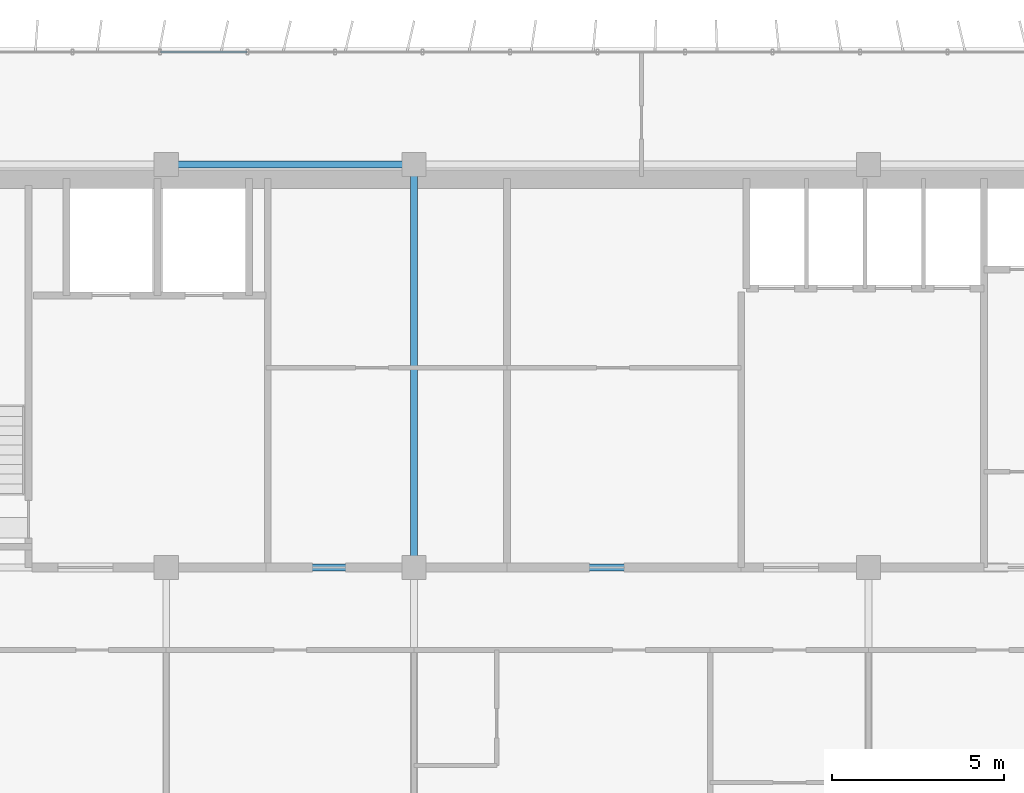
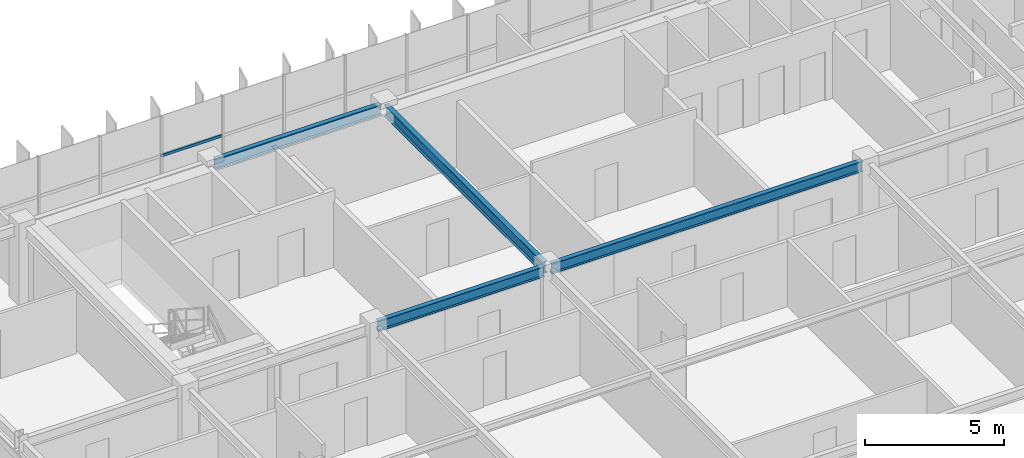
# One storey, part 11 of 27: 4 beams, 1 member, 1 element without a shape of its own.
"""IFC4 building model written with IfcOpenShell, lengths in metres."""

from ifc_helpers import new_model, si_unit, direction, frame, origin, origin_2d, place, context, subcontext, project, spatial, hollow_rectangle, i_section, extrude, source, transform, mapped, material, material_profile, profile_set, type_object, element, aggregate, save


model = new_model("IFC4")

# Units and contexts
model_context = context("Model", 3, precision=1e-05, world=origin(), true_north=direction((0.0, 1.0)))
body_context = subcontext(model_context, "Body", "Model", "MODEL_VIEW")
ifc_project = project(units=[si_unit("LENGTHUNIT", "METRE"), si_unit("AREAUNIT", "SQUARE_METRE"), si_unit("VOLUMEUNIT", "CUBIC_METRE"), si_unit("PLANEANGLEUNIT", "RADIAN"), si_unit("MASSUNIT", "GRAM", prefix="KILO")], contexts=[model_context])

# Site, building, storey
site_placement = place(None, origin())
site = spatial("IfcSite", under=ifc_project, at=site_placement, CompositionType="ELEMENT")
building_placement = place(site_placement, origin())
building = spatial("IfcBuilding", under=site, at=building_placement, Name="Trelvane Seafront Commons", CompositionType="ELEMENT")
storey_placement = place(building_placement, frame((0.0, 0.0, 233.699951171875)))
storey = spatial("IfcBuildingStorey", under=building, at=storey_placement, Name="L61", CompositionType="ELEMENT", Elevation=233.699951171875)

# Beams
ifc_material_1 = material(Name="Steel SM355 (S355)", Category="steel")
ifc_material_profile_1 = material_profile(ifc_material_1, i_section(OverallWidth=0.199951171875, OverallDepth=0.5, WebThickness=0.010009765625, FlangeThickness=0.01611328125, at=origin_2d()), Name="H-500x200x10x16")
ifc_profile_set_1 = profile_set([ifc_material_profile_1], Name="Steel SM355 (S355)")
beam_type_1 = type_object("IfcBeamType", Name="STR-BM-H500", PredefinedType="BEAM", material=ifc_profile_set_1)
shared_shape_1 = source(origin(), body_context, "Body", "SweptSolid", [
    extrude(i_section(OverallWidth=0.199951171875, OverallDepth=0.5, WebThickness=0.010009765625, FlangeThickness=0.01611328125, at=origin_2d()), origin(), (0.0, 0.0, 1.0), 11.39990234375),
])
beam_1_placement = place(storey_placement, frame((30.60009765625, 33.550048828125, 3.110107421875), z_axis=(0.0, 1.0, 0.0), x_axis=(-1.0, 0.0, 0.0)))
element("IfcBeam", 1, at=beam_1_placement, inside=storey, type_object=beam_type_1, Name="L61 Primary Girder G-40", PredefinedType="BEAM", context=body_context, shape_type="MappedRepresentation", body=[
    mapped(shared_shape_1, transform((0.0, 0.0, 0.0), x_axis=(1.0, 0.0, 0.0), y_axis=(0.0, 1.0, 0.0), z_axis=(0.0, 0.0, 1.0), scale=1.0)),
])
ifc_material_profile_2 = material_profile(ifc_material_1, i_section(OverallWidth=0.199951171875, OverallDepth=0.449951171875, WebThickness=0.009033203125, FlangeThickness=0.013916015625, at=origin_2d()), Name="H-450x200x9x14")
ifc_profile_set_2 = profile_set([ifc_material_profile_2], Name="Steel SM355 (S355)")
beam_type_2 = type_object("IfcBeamType", Name="STR-SPD-H450", PredefinedType="SPANDREL", material=ifc_profile_set_2)
shared_shape_2 = source(origin(), body_context, "Body", "SweptSolid", [
    extrude(i_section(OverallWidth=0.199951171875, OverallDepth=0.449951171875, WebThickness=0.009033203125, FlangeThickness=0.013916015625, at=origin_2d()), origin(), (0.0, 0.0, 1.0), 6.89990234375),
])
for number, where, z_axis, x_axis, name in (
    (2, (23.550048828125, 33.39990234375, 3.135009765625), (1.0, 0.0, 0.0), (0.0, 1.0, 0.0), "L61 Primary Girder G-17"),
    (3, (23.550048828125, 45.10009765625, 3.135009765625), (1.0, 0.0, 0.0), (0.0, 1.0, 0.0), "L61 Primary Girder G-24"),
):
    element("IfcBeam", number, at=place(storey_placement, frame(where, z_axis=z_axis, x_axis=x_axis)), inside=storey, type_object=beam_type_2, Name=name, PredefinedType="SPANDREL", context=body_context, shape_type="MappedRepresentation", body=[
        mapped(shared_shape_2, transform((0.0, 0.0, 0.0), x_axis=(1.0, 0.0, 0.0), y_axis=(0.0, 1.0, 0.0), z_axis=(0.0, 0.0, 1.0), scale=1.0)),
    ])
shared_shape_3 = source(origin(), body_context, "Body", "SweptSolid", [
    extrude(i_section(OverallWidth=0.199951171875, OverallDepth=0.449951171875, WebThickness=0.009033203125, FlangeThickness=0.013916015625, at=origin_2d()), origin(), (0.0, 0.0, 1.0), 12.89990234375),
])
beam_2_placement = place(storey_placement, frame((30.75, 33.39990234375, 3.135009765625), z_axis=(1.0, 0.0, 0.0), x_axis=(0.0, 1.0, 0.0)))
element("IfcBeam", 4, at=beam_2_placement, inside=storey, type_object=beam_type_2, Name="L61 Primary Girder G-18", PredefinedType="SPANDREL", context=body_context, shape_type="MappedRepresentation", body=[
    mapped(shared_shape_3, transform((0.0, 0.0, 0.0), x_axis=(1.0, 0.0, 0.0), y_axis=(0.0, 1.0, 0.0), z_axis=(0.0, 0.0, 1.0), scale=1.0)),
])

# Curtain wall, member
ifc_material_2 = material(Name="Anodised pale-silver aluminium", Category="aluminium")
curtain_wall_type = type_object("IfcCurtainWallType", Name="ARCH-CW5-UPTOWER", PredefinedType="NOTDEFINED", material=ifc_material_2)
curtain_wall_placement = place(storey_placement, origin())
curtain_wall = element("IfcCurtainWall", 5, at=curtain_wall_placement, inside=storey, type_object=curtain_wall_type, Name="CW-L61-0104", PredefinedType="NOTDEFINED")
ifc_material_profile_3 = material_profile(ifc_material_2, hollow_rectangle(XDim=0.070068359375, YDim=0.1201171875, WallThickness=0.00390625, at=origin_2d()), Name="TRAN-70x120x4")
ifc_profile_set_3 = profile_set([ifc_material_profile_3], Name="Anodised pale-silver aluminium")
member_type = type_object("IfcMemberType", Name="ARCH-CW-TRAN-120", PredefinedType="USERDEFINED", material=ifc_profile_set_3)
shared_shape_4 = source(origin(), body_context, "Body", "SweptSolid", [
    extrude(hollow_rectangle(XDim=0.070068359375, YDim=0.1201171875, WallThickness=0.00390625, at=origin_2d()), origin(), (0.0, 0.0, 1.0), 2.51708984375),
])
member_placement = place(storey_placement, frame((23.235595703125, 48.3701171875, 1.613037109375), z_axis=(1.0, 0.0, 0.0), x_axis=(0.0, 1.0, 0.0)))
member = element("IfcMember", 6, at=member_placement, type_object=member_type, Name="CW-L61-0104-T03", ObjectType="TRANSOM", PredefinedType="USERDEFINED", context=body_context, shape_type="MappedRepresentation", body=[
    mapped(shared_shape_4, transform((0.0, 0.0, 0.0), x_axis=(1.0, 0.0, 0.0), y_axis=(0.0, 1.0, 0.0), z_axis=(0.0, 0.0, 1.0), scale=1.0)),
])
aggregate(curtain_wall, [member])

save(model, "model.ifc")
